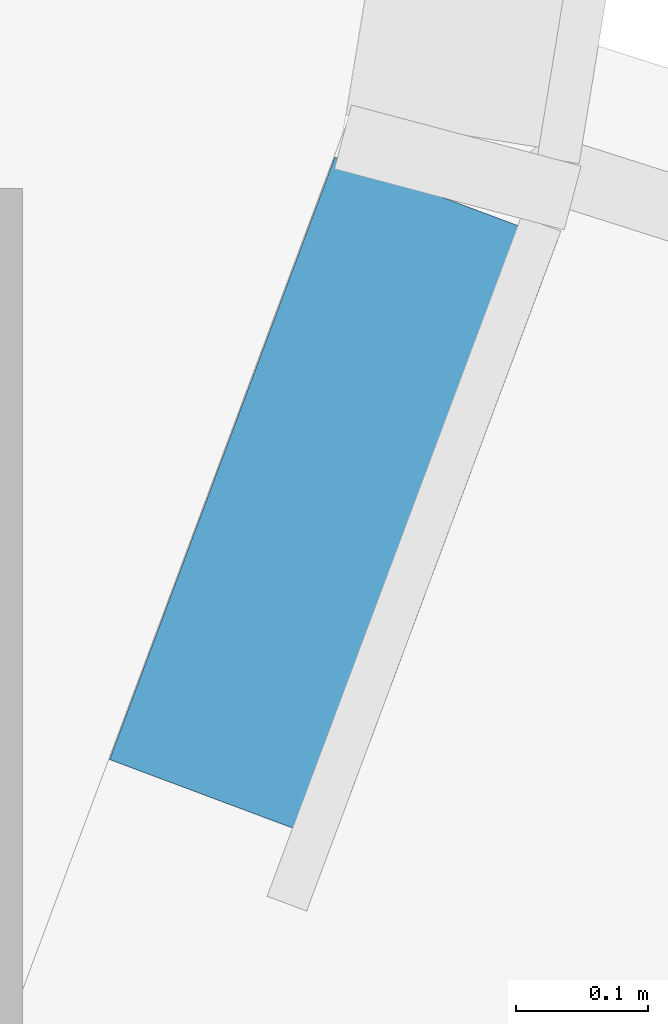
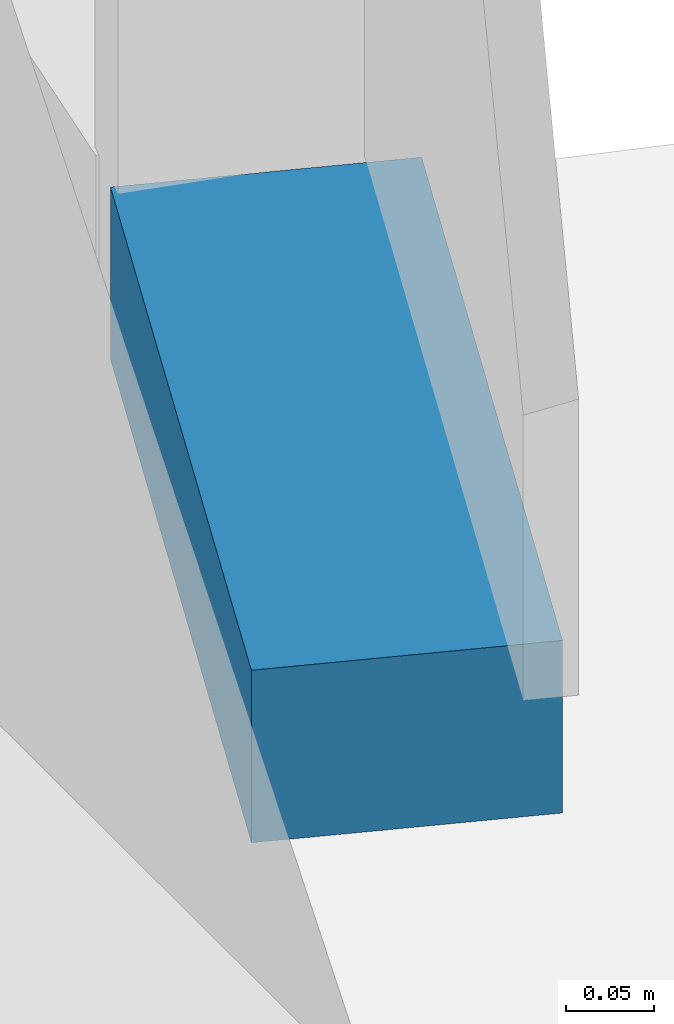
# One storey, part 15 of 30: 1 member, 1 element without a shape of its own.
"""IFC4 building model written with IfcOpenShell, lengths in metres."""

from ifc_helpers import new_model, si_unit, direction, frame, origin, origin_2d, place, context, subcontext, project, spatial, rectangle, extrude, material, material_profile, profile_set, type_object, element, aggregate, save


model = new_model("IFC4")

# Units and contexts
model_context = context("Model", 3, precision=1e-05, world=origin(), true_north=direction((0.0, 1.0)))
body_context = subcontext(model_context, "Body", "Model", "MODEL_VIEW")
ifc_project = project(units=[si_unit("LENGTHUNIT", "METRE"), si_unit("AREAUNIT", "SQUARE_METRE"), si_unit("VOLUMEUNIT", "CUBIC_METRE"), si_unit("PLANEANGLEUNIT", "RADIAN"), si_unit("MASSUNIT", "GRAM", prefix="KILO")], contexts=[model_context])

# Site, building, storey
site_placement = place(None, origin())
site = spatial("IfcSite", under=ifc_project, at=site_placement, CompositionType="ELEMENT")
building_placement = place(site_placement, origin())
building = spatial("IfcBuilding", under=site, at=building_placement, Name="Orlundy Tower", CompositionType="ELEMENT")
storey_placement = place(building_placement, frame((0.0, 0.0, 80.699951171875)))
storey = spatial("IfcBuildingStorey", under=building, at=storey_placement, Name="L19", CompositionType="ELEMENT", Elevation=80.699951171875)

# Curtain wall, member
ifc_material_1 = material(Name="Aluminium bronze anodised", Category="aluminium")
curtain_wall_type = type_object("IfcCurtainWallType", Name="CW1 wall", PredefinedType="NOTDEFINED", material=ifc_material_1)
curtain_wall_placement = place(storey_placement, origin())
curtain_wall = element("IfcCurtainWall", 1, at=curtain_wall_placement, inside=storey, type_object=curtain_wall_type, Name="CW1 run 011", PredefinedType="NOTDEFINED")
ifc_material_2 = material(Name="Aluminium bronze anodised", Category="aluminium")
ifc_material_profile = material_profile(ifc_material_2, rectangle(XDim=0.179931640625, YDim=0.1201171875, at=origin_2d()), Name="CW1 transom 180x120")
ifc_profile_set = profile_set([ifc_material_profile], Name="Aluminium bronze anodised")
member_type = type_object("IfcMemberType", Name="CW1 transom 180x120", PredefinedType="USERDEFINED", material=ifc_profile_set)
member_placement = place(storey_placement, frame((59.487548828125, -11.048828125, 0.06005859375), z_axis=(-0.350299507683, -0.936637739426, 0.0), x_axis=(0.936637739426, -0.350299507683, 0.0)))
member = element("IfcMember", 2, at=member_placement, type_object=member_type, Name="CW1 transom", ObjectType="TRANSOM", PredefinedType="USERDEFINED", context=body_context, shape_type="SweptSolid", body=[
    extrude(rectangle(XDim=0.179931640625, YDim=0.1201171875, at=origin_2d()), origin(), (0.0, 0.0, 1.0), 0.487060546875),
])
aggregate(curtain_wall, [member])

save(model, "model.ifc")
